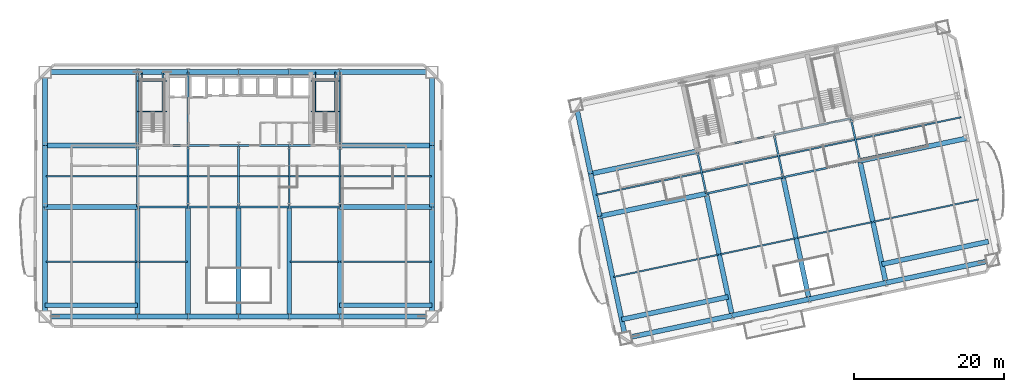
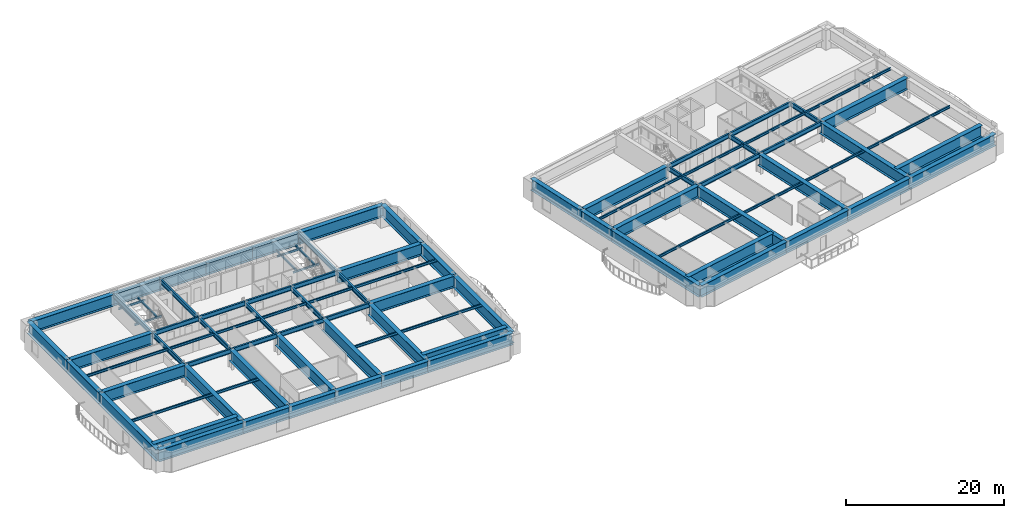
# One storey, part 3 of 18: 93 beams.
"""IFC4 building model written with IfcOpenShell, lengths in metres."""

from ifc_helpers import new_model, si_unit, direction, frame, origin, origin_2d, place, context, subcontext, project, spatial, i_section, extrude, material, material_profile, profile_set, type_object, element, save


model = new_model("IFC4")

# Units and contexts
model_context = context("Model", 3, precision=1e-05, world=origin(), true_north=direction((0.0, 1.0)))
body_context = subcontext(model_context, "Body", "Model", "MODEL_VIEW")
ifc_project = project(units=[si_unit("LENGTHUNIT", "METRE"), si_unit("AREAUNIT", "SQUARE_METRE"), si_unit("VOLUMEUNIT", "CUBIC_METRE"), si_unit("PLANEANGLEUNIT", "RADIAN"), si_unit("MASSUNIT", "GRAM", prefix="KILO")], contexts=[model_context])

# Site, building, storey
site_placement = place(None, origin())
site = spatial("IfcSite", under=ifc_project, at=site_placement, CompositionType="ELEMENT")
building_placement = place(site_placement, origin())
building = spatial("IfcBuilding", under=site, at=building_placement, Name="Haevon Station Towers", CompositionType="ELEMENT")
storey_placement = place(building_placement, frame((0.0, 0.0, 47.10009765625)))
storey = spatial("IfcBuildingStorey", under=building, at=storey_placement, Name="L11", CompositionType="ELEMENT", Elevation=47.10009765625)

# Beams
ifc_material_1 = material(Name="Steel S355", Category="steel")
ifc_material_profile_1 = material_profile(ifc_material_1, i_section(OverallWidth=0.25, OverallDepth=0.699951171875, WebThickness=0.012939453125, FlangeThickness=0.02392578125, at=origin_2d()), Name="H-700x250x13x24")
ifc_profile_set_1 = profile_set([ifc_material_profile_1], Name="Steel S355")
beam_type_1 = type_object("IfcBeamType", Name="BM-G700", PredefinedType="BEAM", material=ifc_profile_set_1)
for number, where, z_axis, x_axis, name in (
    (1, (24.0, 30.0, 2.699951171875), (1.0, 0.0, 0.0), (0.0, 1.0, 0.0), "BM-T1U-L11-02-02"),
    (2, (30.75, 30.0, 2.699951171875), (1.0, 0.0, 0.0), (0.0, 1.0, 0.0), "BM-T1U-L11-02-03"),
    (3, (37.5, 30.0, 2.699951171875), (1.0, 0.0, 0.0), (0.0, 1.0, 0.0), "BM-T1U-L11-02-04"),
    (4, (44.25, 30.0, 2.699951171875), (1.0, 0.0, 0.0), (0.0, 1.0, 0.0), "BM-T1U-L11-02-05"),
    (5, (24.0, 38.199951171875, 2.699951171875), (1.0, 0.0, 0.0), (0.0, 1.0, 0.0), "BM-T1U-L11-03-02"),
    (6, (30.75, 38.199951171875, 2.699951171875), (1.0, 0.0, 0.0), (0.0, 1.0, 0.0), "BM-T1U-L11-03-03"),
    (7, (37.5, 38.199951171875, 2.699951171875), (1.0, 0.0, 0.0), (0.0, 1.0, 0.0), "BM-T1U-L11-03-04"),
    (8, (44.25, 38.199951171875, 2.699951171875), (1.0, 0.0, 0.0), (0.0, 1.0, 0.0), "BM-T1U-L11-03-05"),
):
    element("IfcBeam", number, at=place(storey_placement, frame(where, z_axis=z_axis, x_axis=x_axis)), inside=storey, type_object=beam_type_1, Name=name, PredefinedType="BEAM", context=body_context, shape_type="SweptSolid", body=[
        extrude(i_section(OverallWidth=0.25, OverallDepth=0.699951171875, WebThickness=0.012939453125, FlangeThickness=0.02392578125, at=origin_2d()), origin(), (0.0, 0.0, 1.0), 6.75),
    ])
beam_1_placement = place(storey_placement, frame((24.0, 30.0, 2.699951171875), z_axis=(0.0, 1.0, 0.0), x_axis=(-1.0, 0.0, 0.0)))
element("IfcBeam", 9, at=beam_1_placement, inside=storey, type_object=beam_type_1, Name="BM-T1V-L11-02-02", PredefinedType="BEAM", context=body_context, shape_type="SweptSolid", body=[
    extrude(i_section(OverallWidth=0.25, OverallDepth=0.699951171875, WebThickness=0.012939453125, FlangeThickness=0.02392578125, at=origin_2d()), origin(), (0.0, 0.0, 1.0), 8.199951171875),
])
beam_2_placement = place(storey_placement, frame((24.0, 38.199951171875, 2.699951171875), z_axis=(0.0, 1.0, 0.0), x_axis=(-1.0, 0.0, 0.0)))
element("IfcBeam", 10, at=beam_2_placement, inside=storey, type_object=beam_type_1, Name="BM-T1V-L11-02-03", PredefinedType="BEAM", context=body_context, shape_type="SweptSolid", body=[
    extrude(i_section(OverallWidth=0.25, OverallDepth=0.699951171875, WebThickness=0.012939453125, FlangeThickness=0.02392578125, at=origin_2d()), origin(), (0.0, 0.0, 1.0), 9.800048828125),
])
beam_3_placement = place(storey_placement, frame((30.75, 30.0, 2.699951171875), z_axis=(0.0, 1.0, 0.0), x_axis=(-1.0, 0.0, 0.0)))
element("IfcBeam", 11, at=beam_3_placement, inside=storey, type_object=beam_type_1, Name="BM-T1V-L11-03-02", PredefinedType="BEAM", context=body_context, shape_type="SweptSolid", body=[
    extrude(i_section(OverallWidth=0.25, OverallDepth=0.699951171875, WebThickness=0.012939453125, FlangeThickness=0.02392578125, at=origin_2d()), origin(), (0.0, 0.0, 1.0), 8.199951171875),
])
beam_4_placement = place(storey_placement, frame((30.75, 38.199951171875, 2.699951171875), z_axis=(0.0, 1.0, 0.0), x_axis=(-1.0, 0.0, 0.0)))
element("IfcBeam", 12, at=beam_4_placement, inside=storey, type_object=beam_type_1, Name="BM-T1V-L11-03-03", PredefinedType="BEAM", context=body_context, shape_type="SweptSolid", body=[
    extrude(i_section(OverallWidth=0.25, OverallDepth=0.699951171875, WebThickness=0.012939453125, FlangeThickness=0.02392578125, at=origin_2d()), origin(), (0.0, 0.0, 1.0), 9.800048828125),
])
for number, where, z_axis, x_axis, name in (
    (13, (37.5, 30.0, 2.699951171875), (0.0, 1.0, 0.0), (-1.0, 0.0, 0.0), "BM-T1V-L11-04-02"),
    (14, (44.25, 30.0, 2.699951171875), (0.0, 1.0, 0.0), (-1.0, 0.0, 0.0), "BM-T1V-L11-05-02"),
    (15, (51.0, 30.0, 2.699951171875), (0.0, 1.0, 0.0), (-1.0, 0.0, 0.0), "BM-T1V-L11-06-02"),
):
    element("IfcBeam", number, at=place(storey_placement, frame(where, z_axis=z_axis, x_axis=x_axis)), inside=storey, type_object=beam_type_1, Name=name, PredefinedType="BEAM", context=body_context, shape_type="SweptSolid", body=[
        extrude(i_section(OverallWidth=0.25, OverallDepth=0.699951171875, WebThickness=0.012939453125, FlangeThickness=0.02392578125, at=origin_2d()), origin(), (0.0, 0.0, 1.0), 8.199951171875),
    ])
beam_5_placement = place(storey_placement, frame((51.0, 38.199951171875, 2.699951171875), z_axis=(0.0, 1.0, 0.0), x_axis=(-1.0, 0.0, 0.0)))
element("IfcBeam", 16, at=beam_5_placement, inside=storey, type_object=beam_type_1, Name="BM-T1V-L11-06-03", PredefinedType="BEAM", context=body_context, shape_type="SweptSolid", body=[
    extrude(i_section(OverallWidth=0.25, OverallDepth=0.699951171875, WebThickness=0.012939453125, FlangeThickness=0.02392578125, at=origin_2d()), origin(), (0.0, 0.0, 1.0), 9.800048828125),
])
for number, where, z_axis, x_axis, name in (
    (17, (99.958251953125, 31.76904296875, 2.699951171875), (0.978146794194, 0.207915485254, 0.0), (-0.207915485254, 0.978146794194, 0.0), "BM-T2U-L11-02-02"),
    (18, (110.228759765625, 33.9521484375, 2.699951171875), (0.978146794194, 0.207915485254, 0.0), (-0.207915485254, 0.978146794194, 0.0), "BM-T2U-L11-02-03"),
    (19, (98.75244140625, 37.4423828125, 2.699951171875), (0.978146794194, 0.207915485254, 0.0), (-0.207915485254, 0.978146794194, 0.0), "BM-T2U-L11-03-02"),
    (20, (109.02294921875, 39.62548828125, 2.699951171875), (0.978146794194, 0.207915485254, 0.0), (-0.207915485254, 0.978146794194, 0.0), "BM-T2U-L11-03-03"),
):
    element("IfcBeam", number, at=place(storey_placement, frame(where, z_axis=z_axis, x_axis=x_axis)), inside=storey, type_object=beam_type_1, Name=name, PredefinedType="BEAM", context=body_context, shape_type="SweptSolid", body=[
        extrude(i_section(OverallWidth=0.25, OverallDepth=0.699951171875, WebThickness=0.012939453125, FlangeThickness=0.02392578125, at=origin_2d()), origin(), (0.0, 0.0, 1.0), 10.5),
    ])
for number, where, z_axis, x_axis, name in (
    (21, (99.958251953125, 31.76904296875, 2.699951171875), (-0.207896009217, 0.97815093383, 0.0), (-0.97815093383, -0.207896009217, 0.0), "BM-T2V-L11-02-02"),
    (22, (110.228759765625, 33.9521484375, 2.699951171875), (-0.207896009217, 0.97815093383, 0.0), (-0.97815093383, -0.207896009217, 0.0), "BM-T2V-L11-03-02"),
    (23, (120.499267578125, 36.13525390625, 2.699951171875), (-0.207896009217, 0.97815093383, 0.0), (-0.97815093383, -0.207896009217, 0.0), "BM-T2V-L11-04-02"),
):
    element("IfcBeam", number, at=place(storey_placement, frame(where, z_axis=z_axis, x_axis=x_axis)), inside=storey, type_object=beam_type_1, Name=name, PredefinedType="BEAM", context=body_context, shape_type="SweptSolid", body=[
        extrude(i_section(OverallWidth=0.25, OverallDepth=0.699951171875, WebThickness=0.012939453125, FlangeThickness=0.02392578125, at=origin_2d()), origin(), (0.0, 0.0, 1.0), 5.800048828125),
    ])
ifc_material_profile_2 = material_profile(ifc_material_1, i_section(OverallWidth=0.199951171875, OverallDepth=0.39990234375, WebThickness=0.008056640625, FlangeThickness=0.012939453125, at=origin_2d()), Name="H-400x200x8x13")
ifc_profile_set_2 = profile_set([ifc_material_profile_2], Name="Steel S355")
beam_type_2 = type_object("IfcBeamType", Name="BM-J400", PredefinedType="JOIST", material=ifc_profile_set_2)
beam_6_placement = place(storey_placement, frame((11.760009765625, 22.675048828125, 2.849853515625), z_axis=(1.0, 0.0, 0.0), x_axis=(0.0, 1.0, 0.0)))
element("IfcBeam", 24, at=beam_6_placement, inside=storey, type_object=beam_type_2, Name="BM-T1J-L11-01-01", PredefinedType="JOIST", context=body_context, shape_type="SweptSolid", body=[
    extrude(i_section(OverallWidth=0.199951171875, OverallDepth=0.39990234375, WebThickness=0.008056640625, FlangeThickness=0.012939453125, at=origin_2d()), origin(), (0.0, 0.0, 1.0), 12.1298828125),
])
for number, where, z_axis, x_axis, name in (
    (25, (24.110107421875, 22.675048828125, 2.849853515625), (1.0, 0.0, 0.0), (0.0, 1.0, 0.0), "BM-T1J-L11-01-02"),
    (26, (44.360107421875, 22.675048828125, 2.849853515625), (1.0, 0.0, 0.0), (0.0, 1.0, 0.0), "BM-T1J-L11-01-05"),
):
    element("IfcBeam", number, at=place(storey_placement, frame(where, z_axis=z_axis, x_axis=x_axis)), inside=storey, type_object=beam_type_2, Name=name, PredefinedType="JOIST", context=body_context, shape_type="SweptSolid", body=[
        extrude(i_section(OverallWidth=0.199951171875, OverallDepth=0.39990234375, WebThickness=0.008056640625, FlangeThickness=0.012939453125, at=origin_2d()), origin(), (0.0, 0.0, 1.0), 6.52978515625),
    ])
for number, where, z_axis, x_axis, name in (
    (27, (51.110107421875, 22.675048828125, 2.849853515625), (1.0, 0.0, 0.0), (0.0, 1.0, 0.0), "BM-T1J-L11-01-06"),
    (28, (11.760009765625, 34.10009765625, 2.849853515625), (1.0, 0.0, 0.0), (0.0, 1.0, 0.0), "BM-T1J-L11-02-01"),
):
    element("IfcBeam", number, at=place(storey_placement, frame(where, z_axis=z_axis, x_axis=x_axis)), inside=storey, type_object=beam_type_2, Name=name, PredefinedType="JOIST", context=body_context, shape_type="SweptSolid", body=[
        extrude(i_section(OverallWidth=0.199951171875, OverallDepth=0.39990234375, WebThickness=0.008056640625, FlangeThickness=0.012939453125, at=origin_2d()), origin(), (0.0, 0.0, 1.0), 12.1298828125),
    ])
for number, where, z_axis, x_axis, name in (
    (29, (24.110107421875, 34.10009765625, 2.849853515625), (1.0, 0.0, 0.0), (0.0, 1.0, 0.0), "BM-T1J-L11-02-02"),
    (30, (30.860107421875, 34.10009765625, 2.849853515625), (1.0, 0.0, 0.0), (0.0, 1.0, 0.0), "BM-T1J-L11-02-03"),
    (31, (37.610107421875, 34.10009765625, 2.849853515625), (1.0, 0.0, 0.0), (0.0, 1.0, 0.0), "BM-T1J-L11-02-04"),
    (32, (44.360107421875, 34.10009765625, 2.849853515625), (1.0, 0.0, 0.0), (0.0, 1.0, 0.0), "BM-T1J-L11-02-05"),
):
    element("IfcBeam", number, at=place(storey_placement, frame(where, z_axis=z_axis, x_axis=x_axis)), inside=storey, type_object=beam_type_2, Name=name, PredefinedType="JOIST", context=body_context, shape_type="SweptSolid", body=[
        extrude(i_section(OverallWidth=0.199951171875, OverallDepth=0.39990234375, WebThickness=0.008056640625, FlangeThickness=0.012939453125, at=origin_2d()), origin(), (0.0, 0.0, 1.0), 6.52978515625),
    ])
beam_7_placement = place(storey_placement, frame((51.110107421875, 34.10009765625, 2.849853515625), z_axis=(1.0, 0.0, 0.0), x_axis=(0.0, 1.0, 0.0)))
element("IfcBeam", 33, at=beam_7_placement, inside=storey, type_object=beam_type_2, Name="BM-T1J-L11-02-06", PredefinedType="JOIST", context=body_context, shape_type="SweptSolid", body=[
    extrude(i_section(OverallWidth=0.199951171875, OverallDepth=0.39990234375, WebThickness=0.008056640625, FlangeThickness=0.012939453125, at=origin_2d()), origin(), (0.0, 0.0, 1.0), 12.1298828125),
])
beam_8_placement = place(storey_placement, frame((87.564697265625, 20.623779296875, 2.849853515625), z_axis=(0.978145902522, 0.207919680114, 0.0), x_axis=(-0.207919680114, 0.978145902522, 0.0)))
element("IfcBeam", 34, at=beam_8_placement, inside=storey, type_object=beam_type_2, Name="BM-T2J-L11-01-01", PredefinedType="JOIST", context=body_context, shape_type="SweptSolid", body=[
    extrude(i_section(OverallWidth=0.199951171875, OverallDepth=0.39990234375, WebThickness=0.008056640625, FlangeThickness=0.012939453125, at=origin_2d()), origin(), (0.0, 0.0, 1.0), 14.330078125),
])
for number, where, z_axis, x_axis, name in (
    (35, (101.796630859375, 23.64892578125, 2.849853515625), (0.978145509903, 0.207921527161, 0.0), (-0.207921527161, 0.978145509903, 0.0), "BM-T2J-L11-01-02"),
    (36, (112.067138671875, 25.83203125, 2.849853515625), (0.978150339653, 0.207898804801, 0.0), (-0.207898804801, 0.978150339653, 0.0), "BM-T2J-L11-01-03"),
):
    element("IfcBeam", number, at=place(storey_placement, frame(where, z_axis=z_axis, x_axis=x_axis)), inside=storey, type_object=beam_type_2, Name=name, PredefinedType="JOIST", context=body_context, shape_type="SweptSolid", body=[
        extrude(i_section(OverallWidth=0.199951171875, OverallDepth=0.39990234375, WebThickness=0.008056640625, FlangeThickness=0.012939453125, at=origin_2d()), origin(), (0.0, 0.0, 1.0), 10.280029296875),
    ])
for number, where, z_axis, x_axis, name in (
    (37, (122.337890625, 28.01513671875, 2.849853515625), (0.978149367314, 0.207903379537, 0.0), (-0.207903379537, 0.978149367314, 0.0), "BM-T2J-L11-01-04"),
    (38, (85.23095703125, 31.603515625, 2.849853515625), (0.978145902522, 0.207919680114, 0.0), (-0.207919680114, 0.978145902522, 0.0), "BM-T2J-L11-02-01"),
):
    element("IfcBeam", number, at=place(storey_placement, frame(where, z_axis=z_axis, x_axis=x_axis)), inside=storey, type_object=beam_type_2, Name=name, PredefinedType="JOIST", context=body_context, shape_type="SweptSolid", body=[
        extrude(i_section(OverallWidth=0.199951171875, OverallDepth=0.39990234375, WebThickness=0.008056640625, FlangeThickness=0.012939453125, at=origin_2d()), origin(), (0.0, 0.0, 1.0), 14.330078125),
    ])
for number, where, z_axis, x_axis, name in (
    (39, (99.462890625, 34.628662109375, 2.849853515625), (0.978150339653, 0.207898804801, 0.0), (-0.207898804801, 0.978150339653, 0.0), "BM-T2J-L11-02-02"),
    (40, (109.7333984375, 36.811767578125, 2.849853515625), (0.978150339653, 0.207898804801, 0.0), (-0.207898804801, 0.978150339653, 0.0), "BM-T2J-L11-02-03"),
):
    element("IfcBeam", number, at=place(storey_placement, frame(where, z_axis=z_axis, x_axis=x_axis)), inside=storey, type_object=beam_type_2, Name=name, PredefinedType="JOIST", context=body_context, shape_type="SweptSolid", body=[
        extrude(i_section(OverallWidth=0.199951171875, OverallDepth=0.39990234375, WebThickness=0.008056640625, FlangeThickness=0.012939453125, at=origin_2d()), origin(), (0.0, 0.0, 1.0), 10.280029296875),
    ])
beam_9_placement = place(storey_placement, frame((120.00390625, 38.994873046875, 2.849853515625), z_axis=(0.978149367314, 0.207903379537, 0.0), x_axis=(-0.207903379537, 0.978149367314, 0.0)))
element("IfcBeam", 41, at=beam_9_placement, inside=storey, type_object=beam_type_2, Name="BM-T2J-L11-02-04", PredefinedType="JOIST", context=body_context, shape_type="SweptSolid", body=[
    extrude(i_section(OverallWidth=0.199951171875, OverallDepth=0.39990234375, WebThickness=0.008056640625, FlangeThickness=0.012939453125, at=origin_2d()), origin(), (0.0, 0.0, 1.0), 14.330078125),
])
ifc_material_profile_3 = material_profile(ifc_material_1, i_section(OverallWidth=0.14990234375, OverallDepth=0.300048828125, WebThickness=0.006591796875, FlangeThickness=0.009033203125, at=origin_2d()), Name="H-300x150x6.5x9")
ifc_profile_set_3 = profile_set([ifc_material_profile_3], Name="Steel S355")
beam_type_3 = type_object("IfcBeamType", Name="BM-LIN300", PredefinedType="LINTEL", material=ifc_profile_set_3)
for number, where, z_axis, x_axis, name in (
    (42, (24.0, 42.743896484375, 1.2998046875), (1.0, 0.0, 0.0), (0.0, 1.0, 0.0), "BM-ST1L-L11-1-S"),
    (43, (24.0, 46.820068359375, 1.2998046875), (1.0, 0.0, 0.0), (0.0, 1.0, 0.0), "BM-ST1L-L11-1-N"),
):
    element("IfcBeam", number, at=place(storey_placement, frame(where, z_axis=z_axis, x_axis=x_axis)), inside=storey, type_object=beam_type_3, Name=name, PredefinedType="LINTEL", context=body_context, shape_type="SweptSolid", body=[
        extrude(i_section(OverallWidth=0.14990234375, OverallDepth=0.300048828125, WebThickness=0.006591796875, FlangeThickness=0.009033203125, at=origin_2d()), origin(), (0.0, 0.0, 1.0), 3.949951171875),
    ])
for number, where, z_axis, x_axis, name in (
    (44, (24.60009765625, 42.743896484375, 1.2998046875), (0.0, 1.0, 0.0), (-1.0, 0.0, 0.0), "BM-ST1L-L11-1-W"),
    (45, (27.35009765625, 42.743896484375, 1.2998046875), (0.0, 1.0, 0.0), (-1.0, 0.0, 0.0), "BM-ST1L-L11-1-E"),
):
    element("IfcBeam", number, at=place(storey_placement, frame(where, z_axis=z_axis, x_axis=x_axis)), inside=storey, type_object=beam_type_3, Name=name, PredefinedType="LINTEL", context=body_context, shape_type="SweptSolid", body=[
        extrude(i_section(OverallWidth=0.14990234375, OverallDepth=0.300048828125, WebThickness=0.006591796875, FlangeThickness=0.009033203125, at=origin_2d()), origin(), (0.0, 0.0, 1.0), 5.256103515625),
    ])
for number, where, z_axis, x_axis, name in (
    (46, (47.14990234375, 42.743896484375, 1.2998046875), (1.0, 0.0, 0.0), (0.0, 1.0, 0.0), "BM-ST2L-L11-1-S"),
    (47, (47.14990234375, 46.820068359375, 1.2998046875), (1.0, 0.0, 0.0), (0.0, 1.0, 0.0), "BM-ST2L-L11-1-N"),
):
    element("IfcBeam", number, at=place(storey_placement, frame(where, z_axis=z_axis, x_axis=x_axis)), inside=storey, type_object=beam_type_3, Name=name, PredefinedType="LINTEL", context=body_context, shape_type="SweptSolid", body=[
        extrude(i_section(OverallWidth=0.14990234375, OverallDepth=0.300048828125, WebThickness=0.006591796875, FlangeThickness=0.009033203125, at=origin_2d()), origin(), (0.0, 0.0, 1.0), 3.85009765625),
    ])
for number, where, z_axis, x_axis, name in (
    (48, (47.75, 42.743896484375, 1.2998046875), (0.0, 1.0, 0.0), (-1.0, 0.0, 0.0), "BM-ST2L-L11-1-W"),
    (49, (50.39990234375, 42.743896484375, 1.2998046875), (0.0, 1.0, 0.0), (-1.0, 0.0, 0.0), "BM-ST2L-L11-1-E"),
):
    element("IfcBeam", number, at=place(storey_placement, frame(where, z_axis=z_axis, x_axis=x_axis)), inside=storey, type_object=beam_type_3, Name=name, PredefinedType="LINTEL", context=body_context, shape_type="SweptSolid", body=[
        extrude(i_section(OverallWidth=0.14990234375, OverallDepth=0.300048828125, WebThickness=0.006591796875, FlangeThickness=0.009033203125, at=origin_2d()), origin(), (0.0, 0.0, 1.0), 5.256103515625),
    ])
ifc_material_2 = material(Name="Steel S460", Category="steel")
ifc_material_profile_4 = material_profile(ifc_material_2, i_section(OverallWidth=0.64990234375, OverallDepth=1.800048828125, WebThickness=0.02490234375, FlangeThickness=0.0400390625, at=origin_2d()), Name="H-1800x650x25x40")
ifc_profile_set_4 = profile_set([ifc_material_profile_4], Name="Steel S460")
beam_type_4 = type_object("IfcBeamType", Name="BM-TG1800", PredefinedType="BEAM", material=ifc_profile_set_4)
beam_10_placement = place(storey_placement, frame((11.64990234375, 15.35009765625, 2.14990234375), z_axis=(1.0, 0.0, 0.0), x_axis=(0.0, 1.0, 0.0)))
element("IfcBeam", 50, at=beam_10_placement, inside=storey, type_object=beam_type_4, Name="BM-T1U-L11-01-01", PredefinedType="BEAM", context=body_context, shape_type="SweptSolid", body=[
    extrude(i_section(OverallWidth=0.64990234375, OverallDepth=1.800048828125, WebThickness=0.02490234375, FlangeThickness=0.0400390625, at=origin_2d()), origin(), (0.0, 0.0, 1.0), 12.35009765625),
])
for number, where, z_axis, x_axis, name in (
    (51, (24.0, 15.35009765625, 2.14990234375), (1.0, 0.0, 0.0), (0.0, 1.0, 0.0), "BM-T1U-L11-01-02"),
    (52, (30.75, 15.35009765625, 2.14990234375), (1.0, 0.0, 0.0), (0.0, 1.0, 0.0), "BM-T1U-L11-01-03"),
    (53, (37.5, 15.35009765625, 2.14990234375), (1.0, 0.0, 0.0), (0.0, 1.0, 0.0), "BM-T1U-L11-01-04"),
    (54, (44.25, 15.35009765625, 2.14990234375), (1.0, 0.0, 0.0), (0.0, 1.0, 0.0), "BM-T1U-L11-01-05"),
):
    element("IfcBeam", number, at=place(storey_placement, frame(where, z_axis=z_axis, x_axis=x_axis)), inside=storey, type_object=beam_type_4, Name=name, PredefinedType="BEAM", context=body_context, shape_type="SweptSolid", body=[
        extrude(i_section(OverallWidth=0.64990234375, OverallDepth=1.800048828125, WebThickness=0.02490234375, FlangeThickness=0.0400390625, at=origin_2d()), origin(), (0.0, 0.0, 1.0), 6.75),
    ])
for number, where, z_axis, x_axis, name in (
    (55, (51.0, 15.35009765625, 2.14990234375), (1.0, 0.0, 0.0), (0.0, 1.0, 0.0), "BM-T1U-L11-01-06"),
    (56, (11.64990234375, 30.0, 2.14990234375), (1.0, 0.0, 0.0), (0.0, 1.0, 0.0), "BM-T1U-L11-02-01"),
    (57, (51.0, 30.0, 2.14990234375), (1.0, 0.0, 0.0), (0.0, 1.0, 0.0), "BM-T1U-L11-02-06"),
    (58, (11.64990234375, 38.199951171875, 2.14990234375), (1.0, 0.0, 0.0), (0.0, 1.0, 0.0), "BM-T1U-L11-03-01"),
    (59, (51.0, 38.199951171875, 2.14990234375), (1.0, 0.0, 0.0), (0.0, 1.0, 0.0), "BM-T1U-L11-03-06"),
    (60, (11.64990234375, 48.0, 2.14990234375), (1.0, 0.0, 0.0), (0.0, 1.0, 0.0), "BM-T1U-L11-04-01"),
):
    element("IfcBeam", number, at=place(storey_placement, frame(where, z_axis=z_axis, x_axis=x_axis)), inside=storey, type_object=beam_type_4, Name=name, PredefinedType="BEAM", context=body_context, shape_type="SweptSolid", body=[
        extrude(i_section(OverallWidth=0.64990234375, OverallDepth=1.800048828125, WebThickness=0.02490234375, FlangeThickness=0.0400390625, at=origin_2d()), origin(), (0.0, 0.0, 1.0), 12.35009765625),
    ])
for number, where, z_axis, x_axis, name in (
    (61, (24.0, 48.0, 2.14990234375), (1.0, 0.0, 0.0), (0.0, 1.0, 0.0), "BM-T1U-L11-04-02"),
    (62, (30.75, 48.0, 2.14990234375), (1.0, 0.0, 0.0), (0.0, 1.0, 0.0), "BM-T1U-L11-04-03"),
    (63, (37.5, 48.0, 2.14990234375), (1.0, 0.0, 0.0), (0.0, 1.0, 0.0), "BM-T1U-L11-04-04"),
    (64, (44.25, 48.0, 2.14990234375), (1.0, 0.0, 0.0), (0.0, 1.0, 0.0), "BM-T1U-L11-04-05"),
):
    element("IfcBeam", number, at=place(storey_placement, frame(where, z_axis=z_axis, x_axis=x_axis)), inside=storey, type_object=beam_type_4, Name=name, PredefinedType="BEAM", context=body_context, shape_type="SweptSolid", body=[
        extrude(i_section(OverallWidth=0.64990234375, OverallDepth=1.800048828125, WebThickness=0.02490234375, FlangeThickness=0.0400390625, at=origin_2d()), origin(), (0.0, 0.0, 1.0), 6.75),
    ])
beam_11_placement = place(storey_placement, frame((51.0, 48.0, 2.14990234375), z_axis=(1.0, 0.0, 0.0), x_axis=(0.0, 1.0, 0.0)))
element("IfcBeam", 65, at=beam_11_placement, inside=storey, type_object=beam_type_4, Name="BM-T1U-L11-04-06", PredefinedType="BEAM", context=body_context, shape_type="SweptSolid", body=[
    extrude(i_section(OverallWidth=0.64990234375, OverallDepth=1.800048828125, WebThickness=0.02490234375, FlangeThickness=0.0400390625, at=origin_2d()), origin(), (0.0, 0.0, 1.0), 12.35009765625),
])
beam_12_placement = place(storey_placement, frame((11.64990234375, 15.35009765625, 2.14990234375), z_axis=(0.0, 1.0, 0.0), x_axis=(-1.0, 0.0, 0.0)))
element("IfcBeam", 66, at=beam_12_placement, inside=storey, type_object=beam_type_4, Name="BM-T1V-L11-01-01", PredefinedType="BEAM", context=body_context, shape_type="SweptSolid", body=[
    extrude(i_section(OverallWidth=0.64990234375, OverallDepth=1.800048828125, WebThickness=0.02490234375, FlangeThickness=0.0400390625, at=origin_2d()), origin(), (0.0, 0.0, 1.0), 14.64990234375),
])
beam_13_placement = place(storey_placement, frame((11.64990234375, 30.0, 2.14990234375), z_axis=(0.0, 1.0, 0.0), x_axis=(-1.0, 0.0, 0.0)))
element("IfcBeam", 67, at=beam_13_placement, inside=storey, type_object=beam_type_4, Name="BM-T1V-L11-01-02", PredefinedType="BEAM", context=body_context, shape_type="SweptSolid", body=[
    extrude(i_section(OverallWidth=0.64990234375, OverallDepth=1.800048828125, WebThickness=0.02490234375, FlangeThickness=0.0400390625, at=origin_2d()), origin(), (0.0, 0.0, 1.0), 8.199951171875),
])
beam_14_placement = place(storey_placement, frame((11.64990234375, 38.199951171875, 2.14990234375), z_axis=(0.0, 1.0, 0.0), x_axis=(-1.0, 0.0, 0.0)))
element("IfcBeam", 68, at=beam_14_placement, inside=storey, type_object=beam_type_4, Name="BM-T1V-L11-01-03", PredefinedType="BEAM", context=body_context, shape_type="SweptSolid", body=[
    extrude(i_section(OverallWidth=0.64990234375, OverallDepth=1.800048828125, WebThickness=0.02490234375, FlangeThickness=0.0400390625, at=origin_2d()), origin(), (0.0, 0.0, 1.0), 9.800048828125),
])
for number, where, z_axis, x_axis, name in (
    (69, (24.0, 15.35009765625, 2.14990234375), (0.0, 1.0, 0.0), (-1.0, 0.0, 0.0), "BM-T1V-L11-02-01"),
    (70, (30.75, 15.35009765625, 2.14990234375), (0.0, 1.0, 0.0), (-1.0, 0.0, 0.0), "BM-T1V-L11-03-01"),
    (71, (37.5, 15.35009765625, 2.14990234375), (0.0, 1.0, 0.0), (-1.0, 0.0, 0.0), "BM-T1V-L11-04-01"),
    (72, (44.25, 15.35009765625, 2.14990234375), (0.0, 1.0, 0.0), (-1.0, 0.0, 0.0), "BM-T1V-L11-05-01"),
    (73, (51.0, 15.35009765625, 2.14990234375), (0.0, 1.0, 0.0), (-1.0, 0.0, 0.0), "BM-T1V-L11-06-01"),
    (74, (63.35009765625, 15.35009765625, 2.14990234375), (0.0, 1.0, 0.0), (-1.0, 0.0, 0.0), "BM-T1V-L11-07-01"),
):
    element("IfcBeam", number, at=place(storey_placement, frame(where, z_axis=z_axis, x_axis=x_axis)), inside=storey, type_object=beam_type_4, Name=name, PredefinedType="BEAM", context=body_context, shape_type="SweptSolid", body=[
        extrude(i_section(OverallWidth=0.64990234375, OverallDepth=1.800048828125, WebThickness=0.02490234375, FlangeThickness=0.0400390625, at=origin_2d()), origin(), (0.0, 0.0, 1.0), 14.64990234375),
    ])
beam_15_placement = place(storey_placement, frame((63.35009765625, 30.0, 2.14990234375), z_axis=(0.0, 1.0, 0.0), x_axis=(-1.0, 0.0, 0.0)))
element("IfcBeam", 75, at=beam_15_placement, inside=storey, type_object=beam_type_4, Name="BM-T1V-L11-07-02", PredefinedType="BEAM", context=body_context, shape_type="SweptSolid", body=[
    extrude(i_section(OverallWidth=0.64990234375, OverallDepth=1.800048828125, WebThickness=0.02490234375, FlangeThickness=0.0400390625, at=origin_2d()), origin(), (0.0, 0.0, 1.0), 8.199951171875),
])
beam_16_placement = place(storey_placement, frame((63.35009765625, 38.199951171875, 2.14990234375), z_axis=(0.0, 1.0, 0.0), x_axis=(-1.0, 0.0, 0.0)))
element("IfcBeam", 76, at=beam_16_placement, inside=storey, type_object=beam_type_4, Name="BM-T1V-L11-07-03", PredefinedType="BEAM", context=body_context, shape_type="SweptSolid", body=[
    extrude(i_section(OverallWidth=0.64990234375, OverallDepth=1.800048828125, WebThickness=0.02490234375, FlangeThickness=0.0400390625, at=origin_2d()), origin(), (0.0, 0.0, 1.0), 9.800048828125),
])
for number, where, z_axis, x_axis, name in (
    (77, (11.64990234375, 16.85009765625, 2.14990234375), (1.0, 0.0, 0.0), (0.0, 1.0, 0.0), "BM-T1CTRN-L11-1"),
    (78, (51.0, 16.85009765625, 2.14990234375), (1.0, 0.0, 0.0), (0.0, 1.0, 0.0), "BM-T1CTRN-L11-2"),
):
    element("IfcBeam", number, at=place(storey_placement, frame(where, z_axis=z_axis, x_axis=x_axis)), inside=storey, type_object=beam_type_4, Name=name, PredefinedType="BEAM", context=body_context, shape_type="SweptSolid", body=[
        extrude(i_section(OverallWidth=0.64990234375, OverallDepth=1.800048828125, WebThickness=0.02490234375, FlangeThickness=0.0400390625, at=origin_2d()), origin(), (0.0, 0.0, 1.0), 12.35009765625),
    ])
beam_17_placement = place(storey_placement, frame((89.18798828125, 12.457763671875, 2.14990234375), z_axis=(0.978146823396, 0.207915347869, 0.0), x_axis=(-0.207915347869, 0.978146823396, 0.0)))
element("IfcBeam", 79, at=beam_17_placement, inside=storey, type_object=beam_type_4, Name="BM-T2U-L11-01-01", PredefinedType="BEAM", context=body_context, shape_type="SweptSolid", body=[
    extrude(i_section(OverallWidth=0.64990234375, OverallDepth=1.800048828125, WebThickness=0.02490234375, FlangeThickness=0.0400390625, at=origin_2d()), origin(), (0.0, 0.0, 1.0), 14.5498046875),
])
beam_18_placement = place(storey_placement, frame((103.419921875, 15.48291015625, 2.14990234375), z_axis=(0.978146794194, 0.207915485254, 0.0), x_axis=(-0.207915485254, 0.978146794194, 0.0)))
element("IfcBeam", 80, at=beam_18_placement, inside=storey, type_object=beam_type_4, Name="BM-T2U-L11-01-02", PredefinedType="BEAM", context=body_context, shape_type="SweptSolid", body=[
    extrude(i_section(OverallWidth=0.64990234375, OverallDepth=1.800048828125, WebThickness=0.02490234375, FlangeThickness=0.0400390625, at=origin_2d()), origin(), (0.0, 0.0, 1.0), 10.5),
])
beam_19_placement = place(storey_placement, frame((113.6904296875, 17.666015625, 2.14990234375), z_axis=(0.978147799298, 0.207910756646, 0.0), x_axis=(-0.207910756646, 0.978147799298, 0.0)))
element("IfcBeam", 81, at=beam_19_placement, inside=storey, type_object=beam_type_4, Name="BM-T2U-L11-01-03", PredefinedType="BEAM", context=body_context, shape_type="SweptSolid", body=[
    extrude(i_section(OverallWidth=0.64990234375, OverallDepth=1.800048828125, WebThickness=0.02490234375, FlangeThickness=0.0400390625, at=origin_2d()), origin(), (0.0, 0.0, 1.0), 10.500244140625),
])
beam_20_placement = place(storey_placement, frame((123.961181640625, 19.84912109375, 2.14990234375), z_axis=(0.978146823396, 0.207915347869, 0.0), x_axis=(-0.207915347869, 0.978146823396, 0.0)))
element("IfcBeam", 82, at=beam_20_placement, inside=storey, type_object=beam_type_4, Name="BM-T2U-L11-01-04", PredefinedType="BEAM", context=body_context, shape_type="SweptSolid", body=[
    extrude(i_section(OverallWidth=0.64990234375, OverallDepth=1.800048828125, WebThickness=0.02490234375, FlangeThickness=0.0400390625, at=origin_2d()), origin(), (0.0, 0.0, 1.0), 14.5498046875),
])
for number, where, z_axis, x_axis, name in (
    (83, (85.72607421875, 28.744140625, 2.14990234375), (0.978150960994, 0.207895881409, 0.0), (-0.207895881409, 0.978150960994, 0.0), "BM-T2U-L11-02-01"),
    (84, (120.499267578125, 36.13525390625, 2.14990234375), (0.978147548738, 0.207911935439, 0.0), (-0.207911935439, 0.978147548738, 0.0), "BM-T2U-L11-02-04"),
    (85, (84.520263671875, 34.417236328125, 2.14990234375), (0.978147548738, 0.207911935439, 0.0), (-0.207911935439, 0.978147548738, 0.0), "BM-T2U-L11-03-01"),
):
    element("IfcBeam", number, at=place(storey_placement, frame(where, z_axis=z_axis, x_axis=x_axis)), inside=storey, type_object=beam_type_4, Name=name, PredefinedType="BEAM", context=body_context, shape_type="SweptSolid", body=[
        extrude(i_section(OverallWidth=0.64990234375, OverallDepth=1.800048828125, WebThickness=0.02490234375, FlangeThickness=0.0400390625, at=origin_2d()), origin(), (0.0, 0.0, 1.0), 14.550048828125),
    ])
beam_21_placement = place(storey_placement, frame((89.18798828125, 12.457763671875, 2.14990234375), z_axis=(-0.207919607786, 0.978145917897, 0.0), x_axis=(-0.978145917897, -0.207919607786, 0.0)))
element("IfcBeam", 86, at=beam_21_placement, inside=storey, type_object=beam_type_4, Name="BM-T2V-L11-01-01", PredefinedType="BEAM", context=body_context, shape_type="SweptSolid", body=[
    extrude(i_section(OverallWidth=0.64990234375, OverallDepth=1.800048828125, WebThickness=0.02490234375, FlangeThickness=0.0400390625, at=origin_2d()), origin(), (0.0, 0.0, 1.0), 16.650146484375),
])
beam_22_placement = place(storey_placement, frame((85.72607421875, 28.744140625, 2.14990234375), z_axis=(-0.207904569273, 0.978149114438, 0.0), x_axis=(-0.978149114438, -0.207904569273, 0.0)))
element("IfcBeam", 87, at=beam_22_placement, inside=storey, type_object=beam_type_4, Name="BM-T2V-L11-01-02", PredefinedType="BEAM", context=body_context, shape_type="SweptSolid", body=[
    extrude(i_section(OverallWidth=0.64990234375, OverallDepth=1.800048828125, WebThickness=0.02490234375, FlangeThickness=0.0400390625, at=origin_2d()), origin(), (0.0, 0.0, 1.0), 5.7998046875),
])
beam_23_placement = place(storey_placement, frame((84.520263671875, 34.417236328125, 2.14990234375), z_axis=(-0.207897167074, 0.978150687738, 0.0), x_axis=(-0.978150687738, -0.207897167074, 0.0)))
element("IfcBeam", 88, at=beam_23_placement, inside=storey, type_object=beam_type_4, Name="BM-T2V-L11-01-03", PredefinedType="BEAM", context=body_context, shape_type="SweptSolid", body=[
    extrude(i_section(OverallWidth=0.64990234375, OverallDepth=1.800048828125, WebThickness=0.02490234375, FlangeThickness=0.0400390625, at=origin_2d()), origin(), (0.0, 0.0, 1.0), 9.35009765625),
])
for number, where, z_axis, x_axis, name in (
    (89, (103.419921875, 15.48291015625, 2.14990234375), (-0.20790856066, 0.978148266064, 0.0), (-0.978148266064, -0.20790856066, 0.0), "BM-T2V-L11-02-01"),
    (90, (113.6904296875, 17.666015625, 2.14990234375), (-0.20790856066, 0.978148266064, 0.0), (-0.978148266064, -0.20790856066, 0.0), "BM-T2V-L11-03-01"),
    (91, (123.961181640625, 19.84912109375, 2.14990234375), (-0.207922589901, 0.978145283999, 0.0), (-0.978145283999, -0.207922589901, 0.0), "BM-T2V-L11-04-01"),
):
    element("IfcBeam", number, at=place(storey_placement, frame(where, z_axis=z_axis, x_axis=x_axis)), inside=storey, type_object=beam_type_4, Name=name, PredefinedType="BEAM", context=body_context, shape_type="SweptSolid", body=[
        extrude(i_section(OverallWidth=0.64990234375, OverallDepth=1.800048828125, WebThickness=0.02490234375, FlangeThickness=0.0400390625, at=origin_2d()), origin(), (0.0, 0.0, 1.0), 16.64990234375),
    ])
beam_24_placement = place(storey_placement, frame((88.65771484375, 14.9521484375, 2.14990234375), z_axis=(0.978147548738, 0.207911935439, 0.0), x_axis=(-0.207911935439, 0.978147548738, 0.0)))
element("IfcBeam", 92, at=beam_24_placement, inside=storey, type_object=beam_type_4, Name="BM-T2CTRN-L11-1", PredefinedType="BEAM", context=body_context, shape_type="SweptSolid", body=[
    extrude(i_section(OverallWidth=0.64990234375, OverallDepth=1.800048828125, WebThickness=0.02490234375, FlangeThickness=0.0400390625, at=origin_2d()), origin(), (0.0, 0.0, 1.0), 14.550048828125),
])
beam_25_placement = place(storey_placement, frame((123.430908203125, 22.343505859375, 2.14990234375), z_axis=(0.978146823396, 0.207915347869, 0.0), x_axis=(-0.207915347869, 0.978146823396, 0.0)))
element("IfcBeam", 93, at=beam_25_placement, inside=storey, type_object=beam_type_4, Name="BM-T2CTRN-L11-2", PredefinedType="BEAM", context=body_context, shape_type="SweptSolid", body=[
    extrude(i_section(OverallWidth=0.64990234375, OverallDepth=1.800048828125, WebThickness=0.02490234375, FlangeThickness=0.0400390625, at=origin_2d()), origin(), (0.0, 0.0, 1.0), 14.5498046875),
])

save(model, "model.ifc")
